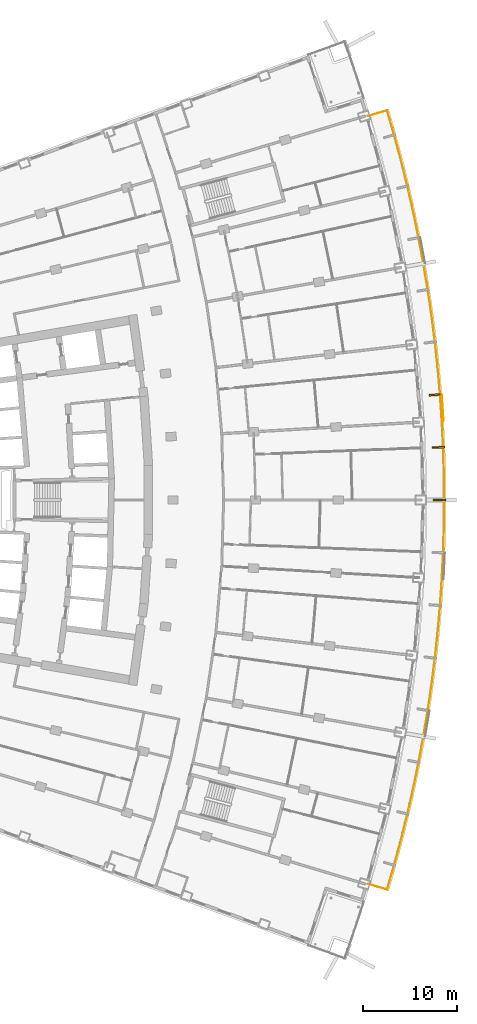
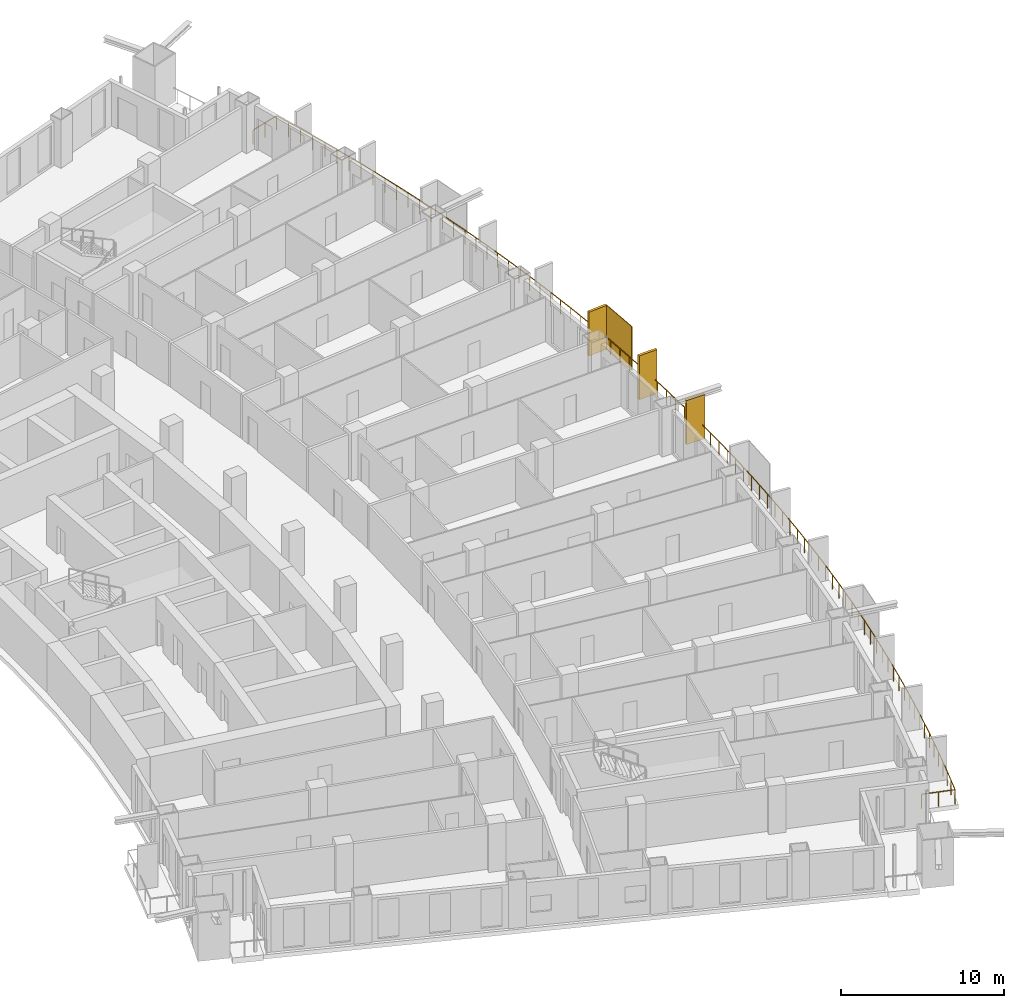
# One storey, part 22 of 23: 4 shading devices, 1 railing.
"""IFC4 building model written with IfcOpenShell, lengths in metres."""

import ifcopenshell
import ifcopenshell.guid

model = None  # the IFC model being written
_history = None  # IfcOwnerHistory: only IFC2X3 demands one
_inside = {}  # id of a spatial element -> (the spatial element, [elements in it])
_under = {}  # id of a project, library or spatial element -> (it, [spatial elements below it])
_declared = {}  # id of a project -> (the project, [libraries it declares])
_typed = {}  # id of a type object -> (the type object, [elements of that type])
_made_of = {}  # id of a material, layer set ... -> (it, [elements and type objects made of it])


def new_model(schema):
    """Start an empty IFC model of exactly this schema.

    Asked for "IFC4X3", IfcOpenShell would pick the latest addendum, in which some entities
    have other attributes; the version numbers below select the first issue.
    IFC2X3 requires an IfcOwnerHistory on every rooted entity: one is made here for all.
    """
    global model, _history
    if schema == "IFC4X3":
        model = ifcopenshell.file(schema_version=(4, 3, 0, 0))
    else:
        model = ifcopenshell.file(schema=schema)
    _inside.clear()
    _under.clear()
    _declared.clear()
    _typed.clear()
    _made_of.clear()
    _history = None
    if model.schema == "IFC2X3":
        org = make("IfcOrganization", Name="unknown")
        user = make(
            "IfcPersonAndOrganization",
            ThePerson=make("IfcPerson", FamilyName="unknown"),
            TheOrganization=org,
        )
        app = make(
            "IfcApplication",
            ApplicationDeveloper=org,
            Version="unknown",
            ApplicationFullName="unknown",
            ApplicationIdentifier="unknown",
        )
        _history = make(
            "IfcOwnerHistory",
            OwningUser=user,
            OwningApplication=app,
            ChangeAction="ADDED",
            CreationDate=0,
        )
    return model


def make(cls, **values):
    """One entity of the class cls with the attributes given. An attribute that is None is left unset."""
    return model.create_entity(
        cls, **{name: value for name, value in values.items() if value is not None}
    )


def rooted(cls, **values):
    """An entity with a GlobalId (a new one), such as an element, a storey or a relation."""
    return make(cls, GlobalId=ifcopenshell.guid.new(), OwnerHistory=_history, **values)


def si_unit(unit_type, name, prefix=None):
    """IfcSIUnit, for example si_unit("LENGTHUNIT", "METRE", prefix="MILLI")."""
    return make("IfcSIUnit", UnitType=unit_type, Prefix=prefix, Name=name)


def assignment(units):
    """IfcUnitAssignment: the units of a project."""
    return None if units is None else make("IfcUnitAssignment", Units=units)


def point(xyz):
    """IfcCartesianPoint."""
    return None if xyz is None else make("IfcCartesianPoint", Coordinates=xyz)


def direction(xyz):
    """IfcDirection."""
    return None if xyz is None else make("IfcDirection", DirectionRatios=xyz)


def frame(location, z_axis=None, x_axis=None):
    """IfcAxis2Placement3D, a coordinate frame: its origin and axes. An axis left out is left unset."""
    return make(
        "IfcAxis2Placement3D",
        Location=point(location),
        Axis=direction(z_axis),
        RefDirection=direction(x_axis),
    )


def frame_2d(location, x_axis=None):
    """IfcAxis2Placement2D, a coordinate frame in the plane: its origin and x axis."""
    return make(
        "IfcAxis2Placement2D", Location=point(location), RefDirection=direction(x_axis)
    )


def origin():
    """The frame at (0, 0, 0) with its axes left unset."""
    return frame((0.0, 0.0, 0.0))


def origin_2d():
    """The frame at (0, 0) in the plane with its x axis left unset."""
    return frame_2d((0.0, 0.0))


def place(relative_to, where):
    """IfcLocalPlacement: puts the frame where relative to a parent placement (None: the world)."""
    return make(
        "IfcLocalPlacement", PlacementRelTo=relative_to, RelativePlacement=where
    )


def context(
    kind, dimensions, precision=None, world=None, true_north=None, identifier=None
):
    """IfcGeometricRepresentationContext, for example the 3D "Model" context."""
    return make(
        "IfcGeometricRepresentationContext",
        ContextIdentifier=identifier,
        ContextType=kind,
        CoordinateSpaceDimension=dimensions,
        Precision=precision,
        WorldCoordinateSystem=world,
        TrueNorth=true_north,
    )


def subcontext(parent, identifier, kind, view, scale=None):
    """IfcGeometricRepresentationSubContext, for example "Body" below "Model"."""
    return make(
        "IfcGeometricRepresentationSubContext",
        ContextIdentifier=identifier,
        ContextType=kind,
        ParentContext=parent,
        TargetScale=scale,
        TargetView=view,
    )


def project(units=None, contexts=None):
    """IfcProject with its units and contexts."""
    return rooted(
        "IfcProject",
        Name="project",
        RepresentationContexts=contexts,
        UnitsInContext=assignment(units),
    )


def spatial(cls, under=None, at=None, **own):
    """A site, building, storey or space (cls), placed at a placement, below another one or the project."""
    s = rooted(cls, ObjectPlacement=at, **own)
    if under is not None:
        _under.setdefault(under.id(), (under, []))[1].append(s)
    return s


def profile(cls, at=None, kind="AREA", **sizes):
    """A parametric profile (cls). Its sizes go by their IFC names, for example OverallWidth=200.0."""
    return make(cls, ProfileType=kind, Position=at, **sizes)


def rectangle(**sizes):
    """IfcRectangleProfileDef."""
    return profile("IfcRectangleProfileDef", **sizes)


def extrude(swept, where, along, depth):
    """IfcExtrudedAreaSolid: the profile swept, set in the frame where, extruded along a direction by depth."""
    return make(
        "IfcExtrudedAreaSolid",
        SweptArea=swept,
        Position=where,
        ExtrudedDirection=direction(along),
        Depth=depth,
    )


def shape(context_of_items, identifier, shape_type, items):
    """IfcShapeRepresentation: the items that make up one representation, for example the "Body"."""
    return make(
        "IfcShapeRepresentation",
        ContextOfItems=context_of_items,
        RepresentationIdentifier=identifier,
        RepresentationType=shape_type,
        Items=items,
    )


def material(Name=None, Category=None):
    """IfcMaterial."""
    return make("IfcMaterial", Name=Name, Category=Category)


def layer(
    of_material, thickness, ventilated=None, Name=None, Category=None, Priority=None
):
    """IfcMaterialLayer: one layer of a wall or slab, of a material (None: an air gap)."""
    return make(
        "IfcMaterialLayer",
        Material=of_material,
        LayerThickness=thickness,
        IsVentilated=ventilated,
        Name=Name,
        Category=Category,
        Priority=Priority,
    )


def layer_set(layers, Name=None):
    """IfcMaterialLayerSet."""
    return make("IfcMaterialLayerSet", MaterialLayers=layers, LayerSetName=Name)


def made_of(thing, what):
    """Note that an element or type object is made of a material, layer set ...; save() writes the relation."""
    if what is not None:
        _made_of.setdefault(what.id(), (what, []))[1].append(thing)
    return thing


def type_object(cls, material=None, **own):
    """A type object (cls), such as IfcWallType, which elements share."""
    return made_of(rooted(cls, **own), material)


def element(
    cls,
    number,
    at=None,
    inside=None,
    cuts=None,
    type_object=None,
    material=None,
    context=None,
    identifier="Body",
    shape_type=None,
    held_by="IfcProductDefinitionShape",
    body=None,
    shapes=None,
    **own,
):
    """One element of the class cls, such as IfcWall. Its Tag is "e" and its number.

    at: its placement. inside: the storey or other place that contains it. cuts: it is an
    opening in that element (IfcRelVoidsElement). A single representation is given by context,
    identifier, shape_type and body (its items); several are given by shapes. held_by: the class
    of the entity that holds the representations. save() writes the other relations.
    """
    e = rooted(cls, Tag="e%d" % number, ObjectPlacement=at, **own)
    if body is not None:
        shapes = [shape(context, identifier, shape_type, body)]
    if shapes is not None:
        e.Representation = make(held_by, Representations=shapes)
    if inside is not None:
        _inside.setdefault(inside.id(), (inside, []))[1].append(e)
    if cuts is not None:
        rooted(
            "IfcRelVoidsElement", RelatingBuildingElement=cuts, RelatedOpeningElement=e
        )
    if type_object is not None:
        _typed.setdefault(type_object.id(), (type_object, []))[1].append(e)
    return made_of(e, material)


def aggregate(whole, parts):
    """IfcRelAggregates: a whole, such as a stair, and the parts it consists of."""
    return rooted("IfcRelAggregates", RelatingObject=whole, RelatedObjects=parts)


def save(model, path):
    """Write the relations noted so far, then the file.

    IfcRelAggregates (storeys below a building ...), IfcRelContainedInSpatialStructure (elements
    in a storey), IfcRelDefinesByType, IfcRelAssociatesMaterial and IfcRelDeclares: one each for
    every whole, place, type object, material and project.
    """
    for whole, parts in _under.values():
        aggregate(whole, parts)
    for where, things in _inside.values():
        rooted(
            "IfcRelContainedInSpatialStructure",
            RelatedElements=things,
            RelatingStructure=where,
        )
    for kind, things in _typed.values():
        rooted("IfcRelDefinesByType", RelatedObjects=things, RelatingType=kind)
    for what, things in _made_of.values():
        rooted("IfcRelAssociatesMaterial", RelatedObjects=things, RelatingMaterial=what)
    for by, libraries in _declared.values():
        rooted("IfcRelDeclares", RelatingContext=by, RelatedDefinitions=libraries)
    model.write(path)


model = new_model("IFC4")

# Units and contexts
model_context = context("Model", 3, precision=1e-05, world=origin(), true_north=direction((0.0, 1.0)))
body_context = subcontext(model_context, "Body", "Model", "MODEL_VIEW")
ifc_project = project(units=[si_unit("LENGTHUNIT", "METRE"), si_unit("AREAUNIT", "SQUARE_METRE"), si_unit("VOLUMEUNIT", "CUBIC_METRE"), si_unit("PLANEANGLEUNIT", "RADIAN"), si_unit("MASSUNIT", "GRAM", prefix="KILO")], contexts=[model_context])

# Site, building, storey
site_placement = place(None, origin())
site = spatial("IfcSite", under=ifc_project, at=site_placement, CompositionType="ELEMENT")
building_placement = place(site_placement, origin())
building = spatial("IfcBuilding", under=site, at=building_placement, Name="Alderwake Tower", CompositionType="ELEMENT")
storey_placement = place(building_placement, frame((0.0, 0.0, 71.60009765625)))
storey = spatial("IfcBuildingStorey", under=building, at=storey_placement, Name="L17", CompositionType="ELEMENT", Elevation=71.60009765625)

# Railing
ifc_material_1 = material(Name="Stainless steel 316 rail and posts", Category="steel")
railing_type = type_object("IfcRailingType", Name="Balcony guard 1100", PredefinedType="GUARDRAIL", material=ifc_material_1)
railing_placement = place(storey_placement, frame((56.605712890625, 20.08984375, 0.0)))
element("IfcRailing", 1, at=railing_placement, inside=storey, type_object=railing_type, Name="Guard BF02", PredefinedType="GUARDRAIL", context=body_context, shape_type="SweptSolid", body=[
    extrude(rectangle(XDim=0.048095703125, YDim=0.048095703125, at=origin_2d()), frame((0.0, 0.0, 1.076171875), z_axis=(0.957986128201, -0.286814536198, 0.0), x_axis=(0.286814536198, 0.957986128201, 0.0)), (0.0, 0.0, 1.0), 2.099853515625),
    extrude(rectangle(XDim=0.048095703125, YDim=0.048095703125, at=origin_2d()), frame((2.01171875, -0.602294921875, 1.076171875), z_axis=(0.280331133603, 0.959903357392, 0.0), x_axis=(-0.959903357392, 0.280331133603, 0.0)), (0.0, 0.0, 1.0), 2.010009765625),
    extrude(rectangle(XDim=0.048095703125, YDim=0.048095703125, at=origin_2d()), frame((2.5751953125, 1.3271484375, 1.076171875), z_axis=(0.266444279754, 0.963850323332, 0.0), x_axis=(-0.963850323332, 0.266444279754, 0.0)), (0.0, 0.0, 1.0), 2.110107421875),
    extrude(rectangle(XDim=0.048095703125, YDim=0.048095703125, at=origin_2d()), frame((3.137451171875, 3.361083984375, 1.076171875), z_axis=(0.252431315985, 0.96761481526, 0.0), x_axis=(-0.96761481526, 0.252431315985, 0.0)), (0.0, 0.0, 1.0), 2.1103515625),
    extrude(rectangle(XDim=0.048095703125, YDim=0.048095703125, at=origin_2d()), frame((3.670166015625, 5.403076171875, 1.076171875), z_axis=(0.238340955225, 0.971181542793, 0.0), x_axis=(-0.971181542793, 0.238340955225, 0.0)), (0.0, 0.0, 1.0), 2.110107421875),
    extrude(rectangle(XDim=0.048095703125, YDim=0.048095703125, at=origin_2d()), frame((4.173095703125, 7.452392578125, 1.076171875), z_axis=(0.224115824877, 0.974562515716, 0.0), x_axis=(-0.974562515716, 0.224115824877, 0.0)), (0.0, 0.0, 1.0), 2.110107421875),
    extrude(rectangle(XDim=0.048095703125, YDim=0.048095703125, at=origin_2d()), frame((4.64599609375, 9.5087890625, 1.076171875), z_axis=(0.209868821237, 0.977729552521, 0.0), x_axis=(-0.977729552521, 0.209868821237, 0.0)), (0.0, 0.0, 1.0), 2.110107421875),
    extrude(rectangle(XDim=0.048095703125, YDim=0.048095703125, at=origin_2d()), frame((5.0888671875, 11.572021484375, 1.076171875), z_axis=(0.195648862485, 0.980674014445, 0.0), x_axis=(-0.980674014445, 0.195648862485, 0.0)), (0.0, 0.0, 1.0), 2.110107421875),
    extrude(rectangle(XDim=0.048095703125, YDim=0.048095703125, at=origin_2d()), frame((5.501708984375, 13.641357421875, 1.076171875), z_axis=(0.181277260189, 0.983432028632, 0.0), x_axis=(-0.983432028632, 0.181277260189, 0.0)), (0.0, 0.0, 1.0), 2.1103515625),
    extrude(rectangle(XDim=0.048095703125, YDim=0.048095703125, at=origin_2d()), frame((5.88427734375, 15.716796875, 1.076171875), z_axis=(0.166950013592, 0.985965360934, 0.0), x_axis=(-0.985965360934, 0.166950013592, 0.0)), (0.0, 0.0, 1.0), 2.110107421875),
    extrude(rectangle(XDim=0.048095703125, YDim=0.048095703125, at=origin_2d()), frame((6.236572265625, 17.79736328125, 1.076171875), z_axis=(0.152491878472, 0.988304723757, 0.0), x_axis=(-0.988304723757, 0.152491878472, 0.0)), (0.0, 0.0, 1.0), 2.110107421875),
    extrude(rectangle(XDim=0.048095703125, YDim=0.048095703125, at=origin_2d()), frame((6.558349609375, 19.8828125, 1.076171875), z_axis=(0.138035026408, 0.990427347908, 0.0), x_axis=(-0.990427347908, 0.138035026408, 0.0)), (0.0, 0.0, 1.0), 2.110107421875),
    extrude(rectangle(XDim=0.048095703125, YDim=0.048095703125, at=origin_2d()), frame((6.849609375, 21.97265625, 1.076171875), z_axis=(0.123678739733, 0.992322311216, 0.0), x_axis=(-0.992322311216, 0.123678739733, 0.0)), (0.0, 0.0, 1.0), 2.110107421875),
    extrude(rectangle(XDim=0.048095703125, YDim=0.048095703125, at=origin_2d()), frame((7.110595703125, 24.066650390625, 1.076171875), z_axis=(0.109212453251, 0.99401843044, 0.0), x_axis=(-0.99401843044, 0.109212453251, 0.0)), (0.0, 0.0, 1.0), 2.1103515625),
    extrude(rectangle(XDim=0.048095703125, YDim=0.048095703125, at=origin_2d()), frame((7.341064453125, 26.164306640625, 1.076171875), z_axis=(0.094634386331, 0.99551209582, 0.0), x_axis=(-0.99551209582, 0.094634386331, 0.0)), (0.0, 0.0, 1.0), 2.1103515625),
    extrude(rectangle(XDim=0.048095703125, YDim=0.048095703125, at=origin_2d()), frame((7.540771484375, 28.26513671875, 1.076171875), z_axis=(0.080067128937, 0.996789473692, 0.0), x_axis=(-0.996789473692, 0.080067128937, 0.0)), (0.0, 0.0, 1.0), 2.110107421875),
    extrude(rectangle(XDim=0.048095703125, YDim=0.048095703125, at=origin_2d()), frame((7.709716796875, 30.368408203125, 1.076171875), z_axis=(0.065597538993, 0.99784616193, 0.0), x_axis=(-0.99784616193, 0.065597538993, 0.0)), (0.0, 0.0, 1.0), 2.1103515625),
    extrude(rectangle(XDim=0.048095703125, YDim=0.048095703125, at=origin_2d()), frame((7.84814453125, 32.47412109375, 1.076171875), z_axis=(0.051022428276, 0.998697507663, 0.0), x_axis=(-0.998697507663, 0.051022428276, 0.0)), (0.0, 0.0, 1.0), 2.110107421875),
    extrude(rectangle(XDim=0.048095703125, YDim=0.048095703125, at=origin_2d()), frame((7.955810546875, 34.58154296875, 1.076171875), z_axis=(0.036442551647, 0.9993357496, 0.0), x_axis=(-0.9993357496, 0.036442551647, 0.0)), (0.0, 0.0, 1.0), 2.1103515625),
    extrude(rectangle(XDim=0.048095703125, YDim=0.048095703125, at=origin_2d()), frame((8.03271484375, 36.6904296875, 1.076171875), z_axis=(0.021867238393, 0.999760883354, 0.0), x_axis=(-0.999760883354, 0.021867238393, 0.0)), (0.0, 0.0, 1.0), 2.110107421875),
    extrude(rectangle(XDim=0.048095703125, YDim=0.048095703125, at=origin_2d()), frame((8.078857421875, 38.800048828125, 1.076171875), z_axis=(0.007288942083, 0.999973435309, 0.0), x_axis=(-0.999973435309, 0.007288942083, 0.0)), (0.0, 0.0, 1.0), 2.110107421875),
    extrude(rectangle(XDim=0.048095703125, YDim=0.048095703125, at=origin_2d()), frame((8.09423828125, 40.91015625, 1.076171875), z_axis=(-0.007288942083, 0.999973435309, 0.0), x_axis=(-0.999973435309, -0.007288942083, 0.0)), (0.0, 0.0, 1.0), 2.110107421875),
    extrude(rectangle(XDim=0.048095703125, YDim=0.048095703125, at=origin_2d()), frame((8.078857421875, 43.020263671875, 1.076171875), z_axis=(-0.021867238393, 0.999760883354, 0.0), x_axis=(-0.999760883354, -0.021867238393, 0.0)), (0.0, 0.0, 1.0), 2.110107421875),
    extrude(rectangle(XDim=0.048095703125, YDim=0.048095703125, at=origin_2d()), frame((8.03271484375, 45.1298828125, 1.076171875), z_axis=(-0.036442551647, 0.9993357496, 0.0), x_axis=(-0.9993357496, -0.036442551647, 0.0)), (0.0, 0.0, 1.0), 2.1103515625),
    extrude(rectangle(XDim=0.048095703125, YDim=0.048095703125, at=origin_2d()), frame((7.955810546875, 47.23876953125, 1.076171875), z_axis=(-0.051022428276, 0.998697507663, 0.0), x_axis=(-0.998697507663, -0.051022428276, 0.0)), (0.0, 0.0, 1.0), 2.110107421875),
    extrude(rectangle(XDim=0.048095703125, YDim=0.048095703125, at=origin_2d()), frame((7.84814453125, 49.34619140625, 1.076171875), z_axis=(-0.065597538993, 0.99784616193, 0.0), x_axis=(-0.99784616193, -0.065597538993, 0.0)), (0.0, 0.0, 1.0), 2.1103515625),
    extrude(rectangle(XDim=0.048095703125, YDim=0.048095703125, at=origin_2d()), frame((7.709716796875, 51.451904296875, 1.076171875), z_axis=(-0.080067128937, 0.996789473692, 0.0), x_axis=(-0.996789473692, -0.080067128937, 0.0)), (0.0, 0.0, 1.0), 2.110107421875),
    extrude(rectangle(XDim=0.048095703125, YDim=0.048095703125, at=origin_2d()), frame((7.540771484375, 53.55517578125, 1.076171875), z_axis=(-0.094634386331, 0.99551209582, 0.0), x_axis=(-0.99551209582, -0.094634386331, 0.0)), (0.0, 0.0, 1.0), 2.1103515625),
    extrude(rectangle(XDim=0.048095703125, YDim=0.048095703125, at=origin_2d()), frame((7.341064453125, 55.656005859375, 1.076171875), z_axis=(-0.109212453251, 0.99401843044, 0.0), x_axis=(-0.99401843044, -0.109212453251, 0.0)), (0.0, 0.0, 1.0), 2.1103515625),
    extrude(rectangle(XDim=0.048095703125, YDim=0.048095703125, at=origin_2d()), frame((7.110595703125, 57.753662109375, 1.076171875), z_axis=(-0.123678739733, 0.992322311216, 0.0), x_axis=(-0.992322311216, -0.123678739733, 0.0)), (0.0, 0.0, 1.0), 2.110107421875),
    extrude(rectangle(XDim=0.048095703125, YDim=0.048095703125, at=origin_2d()), frame((6.849609375, 59.84765625, 1.076171875), z_axis=(-0.138035026408, 0.990427347908, 0.0), x_axis=(-0.990427347908, -0.138035026408, 0.0)), (0.0, 0.0, 1.0), 2.110107421875),
    extrude(rectangle(XDim=0.048095703125, YDim=0.048095703125, at=origin_2d()), frame((6.558349609375, 61.9375, 1.076171875), z_axis=(-0.152491878472, 0.988304723757, 0.0), x_axis=(-0.988304723757, -0.152491878472, 0.0)), (0.0, 0.0, 1.0), 2.110107421875),
    extrude(rectangle(XDim=0.048095703125, YDim=0.048095703125, at=origin_2d()), frame((6.236572265625, 64.02294921875, 1.076171875), z_axis=(-0.166950013592, 0.985965360934, 0.0), x_axis=(-0.985965360934, -0.166950013592, 0.0)), (0.0, 0.0, 1.0), 2.110107421875),
    extrude(rectangle(XDim=0.048095703125, YDim=0.048095703125, at=origin_2d()), frame((5.88427734375, 66.103515625, 1.076171875), z_axis=(-0.181277260189, 0.983432028632, 0.0), x_axis=(-0.983432028632, -0.181277260189, 0.0)), (0.0, 0.0, 1.0), 2.1103515625),
    extrude(rectangle(XDim=0.048095703125, YDim=0.048095703125, at=origin_2d()), frame((5.501708984375, 68.178955078125, 1.076171875), z_axis=(-0.195648862485, 0.980674014445, 0.0), x_axis=(-0.980674014445, -0.195648862485, 0.0)), (0.0, 0.0, 1.0), 2.110107421875),
    extrude(rectangle(XDim=0.048095703125, YDim=0.048095703125, at=origin_2d()), frame((5.0888671875, 70.248291015625, 1.076171875), z_axis=(-0.209868821237, 0.977729552521, 0.0), x_axis=(-0.977729552521, -0.209868821237, 0.0)), (0.0, 0.0, 1.0), 2.110107421875),
    extrude(rectangle(XDim=0.048095703125, YDim=0.048095703125, at=origin_2d()), frame((4.64599609375, 72.3115234375, 1.076171875), z_axis=(-0.224115824877, 0.974562515716, 0.0), x_axis=(-0.974562515716, -0.224115824877, 0.0)), (0.0, 0.0, 1.0), 2.110107421875),
    extrude(rectangle(XDim=0.048095703125, YDim=0.048095703125, at=origin_2d()), frame((4.173095703125, 74.367919921875, 1.076171875), z_axis=(-0.238340955225, 0.971181542793, 0.0), x_axis=(-0.971181542793, -0.238340955225, 0.0)), (0.0, 0.0, 1.0), 2.110107421875),
    extrude(rectangle(XDim=0.048095703125, YDim=0.048095703125, at=origin_2d()), frame((3.670166015625, 76.417236328125, 1.076171875), z_axis=(-0.252431315985, 0.96761481526, 0.0), x_axis=(-0.96761481526, -0.252431315985, 0.0)), (0.0, 0.0, 1.0), 2.1103515625),
    extrude(rectangle(XDim=0.048095703125, YDim=0.048095703125, at=origin_2d()), frame((3.137451171875, 78.459228515625, 1.076171875), z_axis=(-0.266444279754, 0.963850323332, 0.0), x_axis=(-0.963850323332, -0.266444279754, 0.0)), (0.0, 0.0, 1.0), 2.110107421875),
    extrude(rectangle(XDim=0.048095703125, YDim=0.048095703125, at=origin_2d()), frame((2.5751953125, 80.4931640625, 1.076171875), z_axis=(-0.280331133603, 0.959903357392, 0.0), x_axis=(-0.959903357392, -0.280331133603, 0.0)), (0.0, 0.0, 1.0), 2.010009765625),
    extrude(rectangle(XDim=0.048095703125, YDim=0.048095703125, at=origin_2d()), frame((2.01171875, 82.422607421875, 1.076171875), z_axis=(-0.957986128201, -0.286814536198, 0.0), x_axis=(0.286814536198, -0.957986128201, 0.0)), (0.0, 0.0, 1.0), 2.099853515625),
    extrude(rectangle(XDim=0.0419921875, YDim=0.0419921875, at=origin_2d()), frame((0.0, 0.0, 0.0), z_axis=(0.0, 0.0, 1.0), x_axis=(0.957986128201, -0.286814536198, 0.0)), (0.0, 0.0, 1.0), 1.052001953125),
    extrude(rectangle(XDim=0.0419921875, YDim=0.0419921875, at=origin_2d()), frame((1.005859375, -0.30126953125, 0.0), z_axis=(0.0, 0.0, 1.0), x_axis=(0.957986128201, -0.286814536198, 0.0)), (0.0, 0.0, 1.0), 1.052001953125),
    extrude(rectangle(XDim=0.0419921875, YDim=0.0419921875, at=origin_2d()), frame((2.01171875, -0.602294921875, 0.0), z_axis=(0.0, 0.0, 1.0), x_axis=(0.280331133603, 0.959903357392, 0.0)), (0.0, 0.0, 1.0), 1.052001953125),
    extrude(rectangle(XDim=0.0419921875, YDim=0.0419921875, at=origin_2d()), frame((2.29345703125, 0.3623046875, 0.0), z_axis=(0.0, 0.0, 1.0), x_axis=(0.280331133603, 0.959903357392, 0.0)), (0.0, 0.0, 1.0), 1.052001953125),
    extrude(rectangle(XDim=0.0419921875, YDim=0.0419921875, at=origin_2d()), frame((2.5751953125, 1.3271484375, 0.0), z_axis=(0.0, 0.0, 1.0), x_axis=(0.266444279754, 0.963850323332, 0.0)), (0.0, 0.0, 1.0), 1.052001953125),
    extrude(rectangle(XDim=0.0419921875, YDim=0.0419921875, at=origin_2d()), frame((2.8564453125, 2.34423828125, 0.0), z_axis=(0.0, 0.0, 1.0), x_axis=(0.266444279754, 0.963850323332, 0.0)), (0.0, 0.0, 1.0), 1.052001953125),
    extrude(rectangle(XDim=0.0419921875, YDim=0.0419921875, at=origin_2d()), frame((3.137451171875, 3.361083984375, 0.0), z_axis=(0.0, 0.0, 1.0), x_axis=(0.252431315985, 0.96761481526, 0.0)), (0.0, 0.0, 1.0), 1.052001953125),
    extrude(rectangle(XDim=0.0419921875, YDim=0.0419921875, at=origin_2d()), frame((3.40380859375, 4.382080078125, 0.0), z_axis=(0.0, 0.0, 1.0), x_axis=(0.252431315985, 0.96761481526, 0.0)), (0.0, 0.0, 1.0), 1.052001953125),
    extrude(rectangle(XDim=0.0419921875, YDim=0.0419921875, at=origin_2d()), frame((3.670166015625, 5.403076171875, 0.0), z_axis=(0.0, 0.0, 1.0), x_axis=(0.238340955225, 0.971181542793, 0.0)), (0.0, 0.0, 1.0), 1.052001953125),
    extrude(rectangle(XDim=0.0419921875, YDim=0.0419921875, at=origin_2d()), frame((3.921630859375, 6.427734375, 0.0), z_axis=(0.0, 0.0, 1.0), x_axis=(0.238340955225, 0.971181542793, 0.0)), (0.0, 0.0, 1.0), 1.052001953125),
    extrude(rectangle(XDim=0.0419921875, YDim=0.0419921875, at=origin_2d()), frame((4.173095703125, 7.452392578125, 0.0), z_axis=(0.0, 0.0, 1.0), x_axis=(0.224115824877, 0.974562515716, 0.0)), (0.0, 0.0, 1.0), 1.052001953125),
    extrude(rectangle(XDim=0.0419921875, YDim=0.0419921875, at=origin_2d()), frame((4.40966796875, 8.48046875, 0.0), z_axis=(0.0, 0.0, 1.0), x_axis=(0.224115824877, 0.974562515716, 0.0)), (0.0, 0.0, 1.0), 1.052001953125),
    extrude(rectangle(XDim=0.0419921875, YDim=0.0419921875, at=origin_2d()), frame((4.64599609375, 9.5087890625, 0.0), z_axis=(0.0, 0.0, 1.0), x_axis=(0.209868821237, 0.977729552521, 0.0)), (0.0, 0.0, 1.0), 1.052001953125),
    extrude(rectangle(XDim=0.0419921875, YDim=0.0419921875, at=origin_2d()), frame((4.867431640625, 10.54052734375, 0.0), z_axis=(0.0, 0.0, 1.0), x_axis=(0.209868821237, 0.977729552521, 0.0)), (0.0, 0.0, 1.0), 1.052001953125),
    extrude(rectangle(XDim=0.0419921875, YDim=0.0419921875, at=origin_2d()), frame((5.0888671875, 11.572021484375, 0.0), z_axis=(0.0, 0.0, 1.0), x_axis=(0.195648862485, 0.980674014445, 0.0)), (0.0, 0.0, 1.0), 1.052001953125),
    extrude(rectangle(XDim=0.0419921875, YDim=0.0419921875, at=origin_2d()), frame((5.29541015625, 12.606689453125, 0.0), z_axis=(0.0, 0.0, 1.0), x_axis=(0.195648862485, 0.980674014445, 0.0)), (0.0, 0.0, 1.0), 1.052001953125),
    extrude(rectangle(XDim=0.0419921875, YDim=0.0419921875, at=origin_2d()), frame((5.501708984375, 13.641357421875, 0.0), z_axis=(0.0, 0.0, 1.0), x_axis=(0.181277260189, 0.983432028632, 0.0)), (0.0, 0.0, 1.0), 1.052001953125),
    extrude(rectangle(XDim=0.0419921875, YDim=0.0419921875, at=origin_2d()), frame((5.69287109375, 14.67919921875, 0.0), z_axis=(0.0, 0.0, 1.0), x_axis=(0.181277260189, 0.983432028632, 0.0)), (0.0, 0.0, 1.0), 1.052001953125),
    extrude(rectangle(XDim=0.0419921875, YDim=0.0419921875, at=origin_2d()), frame((5.88427734375, 15.716796875, 0.0), z_axis=(0.0, 0.0, 1.0), x_axis=(0.166950013592, 0.985965360934, 0.0)), (0.0, 0.0, 1.0), 1.052001953125),
    extrude(rectangle(XDim=0.0419921875, YDim=0.0419921875, at=origin_2d()), frame((6.060546875, 16.757080078125, 0.0), z_axis=(0.0, 0.0, 1.0), x_axis=(0.166950013592, 0.985965360934, 0.0)), (0.0, 0.0, 1.0), 1.052001953125),
    extrude(rectangle(XDim=0.0419921875, YDim=0.0419921875, at=origin_2d()), frame((6.236572265625, 17.79736328125, 0.0), z_axis=(0.0, 0.0, 1.0), x_axis=(0.152491878472, 0.988304723757, 0.0)), (0.0, 0.0, 1.0), 1.052001953125),
    extrude(rectangle(XDim=0.0419921875, YDim=0.0419921875, at=origin_2d()), frame((6.3974609375, 18.840087890625, 0.0), z_axis=(0.0, 0.0, 1.0), x_axis=(0.152491878472, 0.988304723757, 0.0)), (0.0, 0.0, 1.0), 1.052001953125),
    extrude(rectangle(XDim=0.0419921875, YDim=0.0419921875, at=origin_2d()), frame((6.558349609375, 19.8828125, 0.0), z_axis=(0.0, 0.0, 1.0), x_axis=(0.138035026408, 0.990427347908, 0.0)), (0.0, 0.0, 1.0), 1.052001953125),
    extrude(rectangle(XDim=0.0419921875, YDim=0.0419921875, at=origin_2d()), frame((6.7041015625, 20.927734375, 0.0), z_axis=(0.0, 0.0, 1.0), x_axis=(0.138035026408, 0.990427347908, 0.0)), (0.0, 0.0, 1.0), 1.052001953125),
    extrude(rectangle(XDim=0.0419921875, YDim=0.0419921875, at=origin_2d()), frame((6.849609375, 21.97265625, 0.0), z_axis=(0.0, 0.0, 1.0), x_axis=(0.123678739733, 0.992322311216, 0.0)), (0.0, 0.0, 1.0), 1.052001953125),
    extrude(rectangle(XDim=0.0419921875, YDim=0.0419921875, at=origin_2d()), frame((6.97998046875, 23.01953125, 0.0), z_axis=(0.0, 0.0, 1.0), x_axis=(0.123678739733, 0.992322311216, 0.0)), (0.0, 0.0, 1.0), 1.052001953125),
    extrude(rectangle(XDim=0.0419921875, YDim=0.0419921875, at=origin_2d()), frame((7.110595703125, 24.066650390625, 0.0), z_axis=(0.0, 0.0, 1.0), x_axis=(0.109212453251, 0.99401843044, 0.0)), (0.0, 0.0, 1.0), 1.052001953125),
    extrude(rectangle(XDim=0.0419921875, YDim=0.0419921875, at=origin_2d()), frame((7.225830078125, 25.115478515625, 0.0), z_axis=(0.0, 0.0, 1.0), x_axis=(0.109212453251, 0.99401843044, 0.0)), (0.0, 0.0, 1.0), 1.052001953125),
    extrude(rectangle(XDim=0.0419921875, YDim=0.0419921875, at=origin_2d()), frame((7.341064453125, 26.164306640625, 0.0), z_axis=(0.0, 0.0, 1.0), x_axis=(0.094634386331, 0.99551209582, 0.0)), (0.0, 0.0, 1.0), 1.052001953125),
    extrude(rectangle(XDim=0.0419921875, YDim=0.0419921875, at=origin_2d()), frame((7.44091796875, 27.21484375, 0.0), z_axis=(0.0, 0.0, 1.0), x_axis=(0.094634386331, 0.99551209582, 0.0)), (0.0, 0.0, 1.0), 1.052001953125),
    extrude(rectangle(XDim=0.0419921875, YDim=0.0419921875, at=origin_2d()), frame((7.540771484375, 28.26513671875, 0.0), z_axis=(0.0, 0.0, 1.0), x_axis=(0.080067128937, 0.996789473692, 0.0)), (0.0, 0.0, 1.0), 1.052001953125),
    extrude(rectangle(XDim=0.0419921875, YDim=0.0419921875, at=origin_2d()), frame((7.625244140625, 29.31689453125, 0.0), z_axis=(0.0, 0.0, 1.0), x_axis=(0.080067128937, 0.996789473692, 0.0)), (0.0, 0.0, 1.0), 1.052001953125),
    extrude(rectangle(XDim=0.0419921875, YDim=0.0419921875, at=origin_2d()), frame((7.709716796875, 30.368408203125, 0.0), z_axis=(0.0, 0.0, 1.0), x_axis=(0.065597538993, 0.99784616193, 0.0)), (0.0, 0.0, 1.0), 1.052001953125),
    extrude(rectangle(XDim=0.0419921875, YDim=0.0419921875, at=origin_2d()), frame((7.77880859375, 31.42138671875, 0.0), z_axis=(0.0, 0.0, 1.0), x_axis=(0.065597538993, 0.99784616193, 0.0)), (0.0, 0.0, 1.0), 1.052001953125),
    extrude(rectangle(XDim=0.0419921875, YDim=0.0419921875, at=origin_2d()), frame((7.84814453125, 32.47412109375, 0.0), z_axis=(0.0, 0.0, 1.0), x_axis=(0.051022428276, 0.998697507663, 0.0)), (0.0, 0.0, 1.0), 1.052001953125),
    extrude(rectangle(XDim=0.0419921875, YDim=0.0419921875, at=origin_2d()), frame((7.90185546875, 33.52783203125, 0.0), z_axis=(0.0, 0.0, 1.0), x_axis=(0.051022428276, 0.998697507663, 0.0)), (0.0, 0.0, 1.0), 1.052001953125),
    extrude(rectangle(XDim=0.0419921875, YDim=0.0419921875, at=origin_2d()), frame((7.955810546875, 34.58154296875, 0.0), z_axis=(0.0, 0.0, 1.0), x_axis=(0.036442551647, 0.9993357496, 0.0)), (0.0, 0.0, 1.0), 1.052001953125),
    extrude(rectangle(XDim=0.0419921875, YDim=0.0419921875, at=origin_2d()), frame((7.994140625, 35.635986328125, 0.0), z_axis=(0.0, 0.0, 1.0), x_axis=(0.036442551647, 0.9993357496, 0.0)), (0.0, 0.0, 1.0), 1.052001953125),
    extrude(rectangle(XDim=0.0419921875, YDim=0.0419921875, at=origin_2d()), frame((8.03271484375, 36.6904296875, 0.0), z_axis=(0.0, 0.0, 1.0), x_axis=(0.021867238393, 0.999760883354, 0.0)), (0.0, 0.0, 1.0), 1.052001953125),
    extrude(rectangle(XDim=0.0419921875, YDim=0.0419921875, at=origin_2d()), frame((8.0556640625, 37.7451171875, 0.0), z_axis=(0.0, 0.0, 1.0), x_axis=(0.021867238393, 0.999760883354, 0.0)), (0.0, 0.0, 1.0), 1.052001953125),
    extrude(rectangle(XDim=0.0419921875, YDim=0.0419921875, at=origin_2d()), frame((8.078857421875, 38.800048828125, 0.0), z_axis=(0.0, 0.0, 1.0), x_axis=(0.007288942083, 0.999973435309, 0.0)), (0.0, 0.0, 1.0), 1.052001953125),
    extrude(rectangle(XDim=0.0419921875, YDim=0.0419921875, at=origin_2d()), frame((8.08642578125, 39.85498046875, 0.0), z_axis=(0.0, 0.0, 1.0), x_axis=(0.007288942083, 0.999973435309, 0.0)), (0.0, 0.0, 1.0), 1.052001953125),
    extrude(rectangle(XDim=0.0419921875, YDim=0.0419921875, at=origin_2d()), frame((8.09423828125, 40.91015625, 0.0), z_axis=(0.0, 0.0, 1.0), x_axis=(-0.007288942083, 0.999973435309, 0.0)), (0.0, 0.0, 1.0), 1.052001953125),
    extrude(rectangle(XDim=0.0419921875, YDim=0.0419921875, at=origin_2d()), frame((8.08642578125, 41.96533203125, 0.0), z_axis=(0.0, 0.0, 1.0), x_axis=(-0.007288942083, 0.999973435309, 0.0)), (0.0, 0.0, 1.0), 1.052001953125),
    extrude(rectangle(XDim=0.0419921875, YDim=0.0419921875, at=origin_2d()), frame((8.078857421875, 43.020263671875, 0.0), z_axis=(0.0, 0.0, 1.0), x_axis=(-0.021867238393, 0.999760883354, 0.0)), (0.0, 0.0, 1.0), 1.052001953125),
    extrude(rectangle(XDim=0.0419921875, YDim=0.0419921875, at=origin_2d()), frame((8.0556640625, 44.0751953125, 0.0), z_axis=(0.0, 0.0, 1.0), x_axis=(-0.021867238393, 0.999760883354, 0.0)), (0.0, 0.0, 1.0), 1.052001953125),
    extrude(rectangle(XDim=0.0419921875, YDim=0.0419921875, at=origin_2d()), frame((8.03271484375, 45.1298828125, 0.0), z_axis=(0.0, 0.0, 1.0), x_axis=(-0.036442551647, 0.9993357496, 0.0)), (0.0, 0.0, 1.0), 1.052001953125),
    extrude(rectangle(XDim=0.0419921875, YDim=0.0419921875, at=origin_2d()), frame((7.994140625, 46.184326171875, 0.0), z_axis=(0.0, 0.0, 1.0), x_axis=(-0.036442551647, 0.9993357496, 0.0)), (0.0, 0.0, 1.0), 1.052001953125),
    extrude(rectangle(XDim=0.0419921875, YDim=0.0419921875, at=origin_2d()), frame((7.955810546875, 47.23876953125, 0.0), z_axis=(0.0, 0.0, 1.0), x_axis=(-0.051022428276, 0.998697507663, 0.0)), (0.0, 0.0, 1.0), 1.052001953125),
    extrude(rectangle(XDim=0.0419921875, YDim=0.0419921875, at=origin_2d()), frame((7.90185546875, 48.29248046875, 0.0), z_axis=(0.0, 0.0, 1.0), x_axis=(-0.051022428276, 0.998697507663, 0.0)), (0.0, 0.0, 1.0), 1.052001953125),
    extrude(rectangle(XDim=0.0419921875, YDim=0.0419921875, at=origin_2d()), frame((7.84814453125, 49.34619140625, 0.0), z_axis=(0.0, 0.0, 1.0), x_axis=(-0.065597538993, 0.99784616193, 0.0)), (0.0, 0.0, 1.0), 1.052001953125),
    extrude(rectangle(XDim=0.0419921875, YDim=0.0419921875, at=origin_2d()), frame((7.77880859375, 50.39892578125, 0.0), z_axis=(0.0, 0.0, 1.0), x_axis=(-0.065597538993, 0.99784616193, 0.0)), (0.0, 0.0, 1.0), 1.052001953125),
    extrude(rectangle(XDim=0.0419921875, YDim=0.0419921875, at=origin_2d()), frame((7.709716796875, 51.451904296875, 0.0), z_axis=(0.0, 0.0, 1.0), x_axis=(-0.080067128937, 0.996789473692, 0.0)), (0.0, 0.0, 1.0), 1.052001953125),
    extrude(rectangle(XDim=0.0419921875, YDim=0.0419921875, at=origin_2d()), frame((7.625244140625, 52.50341796875, 0.0), z_axis=(0.0, 0.0, 1.0), x_axis=(-0.080067128937, 0.996789473692, 0.0)), (0.0, 0.0, 1.0), 1.052001953125),
    extrude(rectangle(XDim=0.0419921875, YDim=0.0419921875, at=origin_2d()), frame((7.540771484375, 53.55517578125, 0.0), z_axis=(0.0, 0.0, 1.0), x_axis=(-0.094634386331, 0.99551209582, 0.0)), (0.0, 0.0, 1.0), 1.052001953125),
    extrude(rectangle(XDim=0.0419921875, YDim=0.0419921875, at=origin_2d()), frame((7.44091796875, 54.60546875, 0.0), z_axis=(0.0, 0.0, 1.0), x_axis=(-0.094634386331, 0.99551209582, 0.0)), (0.0, 0.0, 1.0), 1.052001953125),
    extrude(rectangle(XDim=0.0419921875, YDim=0.0419921875, at=origin_2d()), frame((7.341064453125, 55.656005859375, 0.0), z_axis=(0.0, 0.0, 1.0), x_axis=(-0.109212453251, 0.99401843044, 0.0)), (0.0, 0.0, 1.0), 1.052001953125),
    extrude(rectangle(XDim=0.0419921875, YDim=0.0419921875, at=origin_2d()), frame((7.225830078125, 56.704833984375, 0.0), z_axis=(0.0, 0.0, 1.0), x_axis=(-0.109212453251, 0.99401843044, 0.0)), (0.0, 0.0, 1.0), 1.052001953125),
    extrude(rectangle(XDim=0.0419921875, YDim=0.0419921875, at=origin_2d()), frame((7.110595703125, 57.753662109375, 0.0), z_axis=(0.0, 0.0, 1.0), x_axis=(-0.123678739733, 0.992322311216, 0.0)), (0.0, 0.0, 1.0), 1.052001953125),
    extrude(rectangle(XDim=0.0419921875, YDim=0.0419921875, at=origin_2d()), frame((6.97998046875, 58.80078125, 0.0), z_axis=(0.0, 0.0, 1.0), x_axis=(-0.123678739733, 0.992322311216, 0.0)), (0.0, 0.0, 1.0), 1.052001953125),
    extrude(rectangle(XDim=0.0419921875, YDim=0.0419921875, at=origin_2d()), frame((6.849609375, 59.84765625, 0.0), z_axis=(0.0, 0.0, 1.0), x_axis=(-0.138035026408, 0.990427347908, 0.0)), (0.0, 0.0, 1.0), 1.052001953125),
    extrude(rectangle(XDim=0.0419921875, YDim=0.0419921875, at=origin_2d()), frame((6.7041015625, 60.892578125, 0.0), z_axis=(0.0, 0.0, 1.0), x_axis=(-0.138035026408, 0.990427347908, 0.0)), (0.0, 0.0, 1.0), 1.052001953125),
    extrude(rectangle(XDim=0.0419921875, YDim=0.0419921875, at=origin_2d()), frame((6.558349609375, 61.9375, 0.0), z_axis=(0.0, 0.0, 1.0), x_axis=(-0.152491878472, 0.988304723757, 0.0)), (0.0, 0.0, 1.0), 1.052001953125),
    extrude(rectangle(XDim=0.0419921875, YDim=0.0419921875, at=origin_2d()), frame((6.3974609375, 62.980224609375, 0.0), z_axis=(0.0, 0.0, 1.0), x_axis=(-0.152491878472, 0.988304723757, 0.0)), (0.0, 0.0, 1.0), 1.052001953125),
    extrude(rectangle(XDim=0.0419921875, YDim=0.0419921875, at=origin_2d()), frame((6.236572265625, 64.02294921875, 0.0), z_axis=(0.0, 0.0, 1.0), x_axis=(-0.166950013592, 0.985965360934, 0.0)), (0.0, 0.0, 1.0), 1.052001953125),
    extrude(rectangle(XDim=0.0419921875, YDim=0.0419921875, at=origin_2d()), frame((6.060546875, 65.063232421875, 0.0), z_axis=(0.0, 0.0, 1.0), x_axis=(-0.166950013592, 0.985965360934, 0.0)), (0.0, 0.0, 1.0), 1.052001953125),
    extrude(rectangle(XDim=0.0419921875, YDim=0.0419921875, at=origin_2d()), frame((5.88427734375, 66.103515625, 0.0), z_axis=(0.0, 0.0, 1.0), x_axis=(-0.181277260189, 0.983432028632, 0.0)), (0.0, 0.0, 1.0), 1.052001953125),
    extrude(rectangle(XDim=0.0419921875, YDim=0.0419921875, at=origin_2d()), frame((5.69287109375, 67.14111328125, 0.0), z_axis=(0.0, 0.0, 1.0), x_axis=(-0.181277260189, 0.983432028632, 0.0)), (0.0, 0.0, 1.0), 1.052001953125),
    extrude(rectangle(XDim=0.0419921875, YDim=0.0419921875, at=origin_2d()), frame((5.501708984375, 68.178955078125, 0.0), z_axis=(0.0, 0.0, 1.0), x_axis=(-0.195648862485, 0.980674014445, 0.0)), (0.0, 0.0, 1.0), 1.052001953125),
    extrude(rectangle(XDim=0.0419921875, YDim=0.0419921875, at=origin_2d()), frame((5.29541015625, 69.213623046875, 0.0), z_axis=(0.0, 0.0, 1.0), x_axis=(-0.195648862485, 0.980674014445, 0.0)), (0.0, 0.0, 1.0), 1.052001953125),
    extrude(rectangle(XDim=0.0419921875, YDim=0.0419921875, at=origin_2d()), frame((5.0888671875, 70.248291015625, 0.0), z_axis=(0.0, 0.0, 1.0), x_axis=(-0.209868821237, 0.977729552521, 0.0)), (0.0, 0.0, 1.0), 1.052001953125),
    extrude(rectangle(XDim=0.0419921875, YDim=0.0419921875, at=origin_2d()), frame((4.867431640625, 71.27978515625, 0.0), z_axis=(0.0, 0.0, 1.0), x_axis=(-0.209868821237, 0.977729552521, 0.0)), (0.0, 0.0, 1.0), 1.052001953125),
    extrude(rectangle(XDim=0.0419921875, YDim=0.0419921875, at=origin_2d()), frame((4.64599609375, 72.3115234375, 0.0), z_axis=(0.0, 0.0, 1.0), x_axis=(-0.224115824877, 0.974562515716, 0.0)), (0.0, 0.0, 1.0), 1.052001953125),
    extrude(rectangle(XDim=0.0419921875, YDim=0.0419921875, at=origin_2d()), frame((4.40966796875, 73.33984375, 0.0), z_axis=(0.0, 0.0, 1.0), x_axis=(-0.224115824877, 0.974562515716, 0.0)), (0.0, 0.0, 1.0), 1.052001953125),
    extrude(rectangle(XDim=0.0419921875, YDim=0.0419921875, at=origin_2d()), frame((4.173095703125, 74.367919921875, 0.0), z_axis=(0.0, 0.0, 1.0), x_axis=(-0.238340955225, 0.971181542793, 0.0)), (0.0, 0.0, 1.0), 1.052001953125),
    extrude(rectangle(XDim=0.0419921875, YDim=0.0419921875, at=origin_2d()), frame((3.921630859375, 75.392578125, 0.0), z_axis=(0.0, 0.0, 1.0), x_axis=(-0.238340955225, 0.971181542793, 0.0)), (0.0, 0.0, 1.0), 1.052001953125),
    extrude(rectangle(XDim=0.0419921875, YDim=0.0419921875, at=origin_2d()), frame((3.670166015625, 76.417236328125, 0.0), z_axis=(0.0, 0.0, 1.0), x_axis=(-0.252431315985, 0.96761481526, 0.0)), (0.0, 0.0, 1.0), 1.052001953125),
    extrude(rectangle(XDim=0.0419921875, YDim=0.0419921875, at=origin_2d()), frame((3.40380859375, 77.438232421875, 0.0), z_axis=(0.0, 0.0, 1.0), x_axis=(-0.252431315985, 0.96761481526, 0.0)), (0.0, 0.0, 1.0), 1.052001953125),
    extrude(rectangle(XDim=0.0419921875, YDim=0.0419921875, at=origin_2d()), frame((3.137451171875, 78.459228515625, 0.0), z_axis=(0.0, 0.0, 1.0), x_axis=(-0.266444279754, 0.963850323332, 0.0)), (0.0, 0.0, 1.0), 1.052001953125),
    extrude(rectangle(XDim=0.0419921875, YDim=0.0419921875, at=origin_2d()), frame((2.8564453125, 79.47607421875, 0.0), z_axis=(0.0, 0.0, 1.0), x_axis=(-0.266444279754, 0.963850323332, 0.0)), (0.0, 0.0, 1.0), 1.052001953125),
    extrude(rectangle(XDim=0.0419921875, YDim=0.0419921875, at=origin_2d()), frame((2.5751953125, 80.4931640625, 0.0), z_axis=(0.0, 0.0, 1.0), x_axis=(-0.280331133603, 0.959903357392, 0.0)), (0.0, 0.0, 1.0), 1.052001953125),
    extrude(rectangle(XDim=0.0419921875, YDim=0.0419921875, at=origin_2d()), frame((2.29345703125, 81.4580078125, 0.0), z_axis=(0.0, 0.0, 1.0), x_axis=(-0.280331133603, 0.959903357392, 0.0)), (0.0, 0.0, 1.0), 1.052001953125),
    extrude(rectangle(XDim=0.0419921875, YDim=0.0419921875, at=origin_2d()), frame((2.01171875, 82.422607421875, 0.0), z_axis=(0.0, 0.0, 1.0), x_axis=(-0.957986128201, -0.286814536198, 0.0)), (0.0, 0.0, 1.0), 1.052001953125),
    extrude(rectangle(XDim=0.0419921875, YDim=0.0419921875, at=origin_2d()), frame((1.005859375, 82.12158203125, 0.0), z_axis=(0.0, 0.0, 1.0), x_axis=(-0.957986128201, -0.286814536198, 0.0)), (0.0, 0.0, 1.0), 1.052001953125),
    extrude(rectangle(XDim=0.0419921875, YDim=0.0419921875, at=origin_2d()), frame((0.0, 81.8203125, 0.0), z_axis=(0.0, 0.0, 1.0), x_axis=(-0.957986128201, -0.286814536198, 0.0)), (0.0, 0.0, 1.0), 1.052001953125),
])

# Shading devices
ifc_material_2 = material(Name="Bronze anodised aluminium", Category="aluminium")
ifc_layer_1 = layer(ifc_material_2, 0.179931640625)
ifc_layer_set_1 = layer_set([ifc_layer_1], Name="Facade fin 1300")
shading_device_type_1 = type_object("IfcShadingDeviceType", Name="Facade fin 1300", PredefinedType="USERDEFINED", material=ifc_layer_set_1)
for number, where, z_axis, x_axis, name in (
    (2, (64.199951171875, 61.0, 0.0), (0.0, 0.0, 1.0), (1.0, 0.0, 0.0), "Fin"),
    (3, (64.0908203125, 66.60791015625, 0.0), (0.0, 0.0, 1.0), (0.999243494356, 0.038890088543, 0.0), "Fin"),
    (4, (63.763916015625, 72.20751953125, 0.0), (0.0, 0.0, 1.0), (0.996975122026, 0.077721335943, 0.0), "Fin"),
):
    element("IfcShadingDevice", number, at=place(storey_placement, frame(where, z_axis=z_axis, x_axis=x_axis)), inside=storey, type_object=shading_device_type_1, Name=name, ObjectType="FIN", PredefinedType="USERDEFINED", context=body_context, shape_type="SweptSolid", body=[
        extrude(rectangle(XDim=1.300048828125, YDim=0.179931640625, at=origin_2d()), origin(), (0.0, 0.0, 1.0), 3.280029296875),
    ])
ifc_material_3 = material(Name="Perforated bronze anodised aluminium", Category="aluminium")
ifc_layer_2 = layer(ifc_material_3, 0.050048828125)
ifc_layer_set_2 = layer_set([ifc_layer_2], Name="Perforated screen panel")
shading_device_type_2 = type_object("IfcShadingDeviceType", Name="Perforated screen panel", PredefinedType="USERDEFINED", material=ifc_layer_set_2)
shading_device_placement = place(storey_placement, frame((64.53271484375, 70.8505859375, 0.0), z_axis=(0.0, 0.0, 1.0), x_axis=(0.997685465774, 0.067997877779, 0.0)))
element("IfcShadingDevice", 5, at=shading_device_placement, inside=storey, type_object=shading_device_type_2, Name="Screen panel", ObjectType="SCREEN", PredefinedType="USERDEFINED", context=body_context, shape_type="SweptSolid", body=[
    extrude(rectangle(XDim=0.050048828125, YDim=2.824951171875, at=origin_2d()), origin(), (0.0, 0.0, 1.0), 3.280029296875),
])

save(model, "model.ifc")
